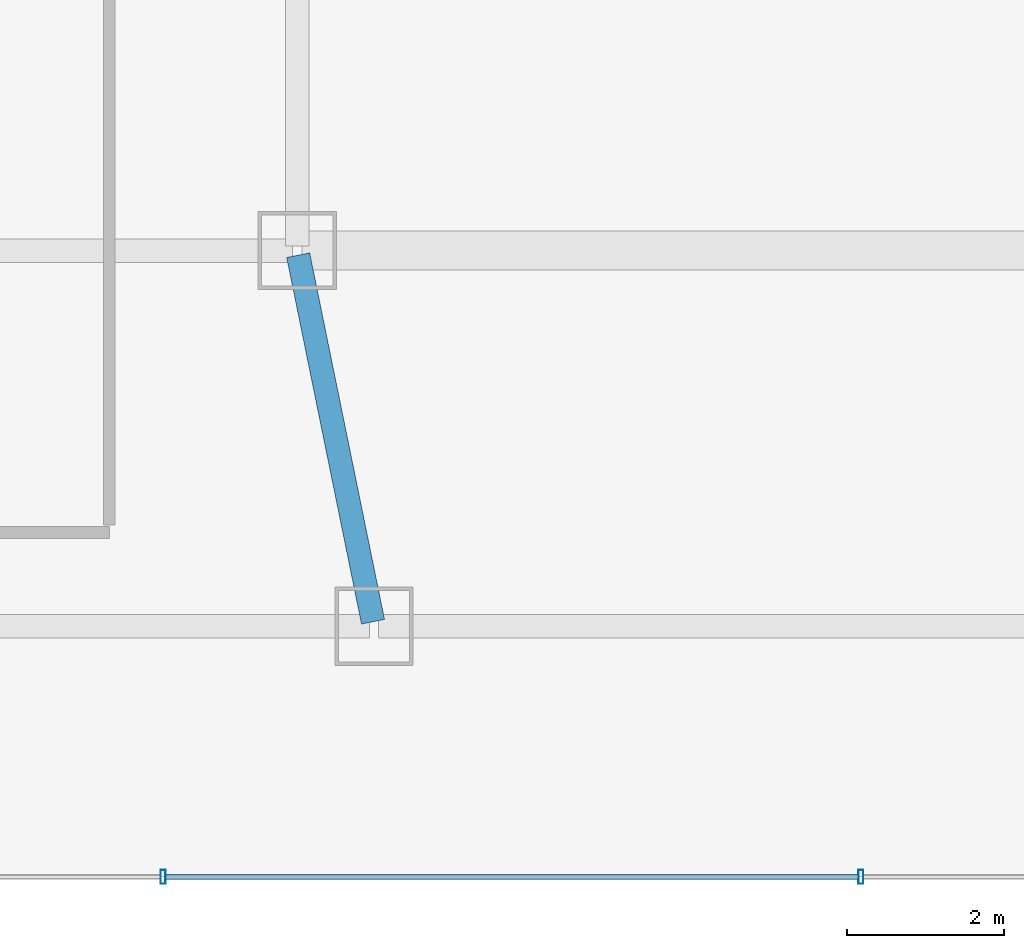
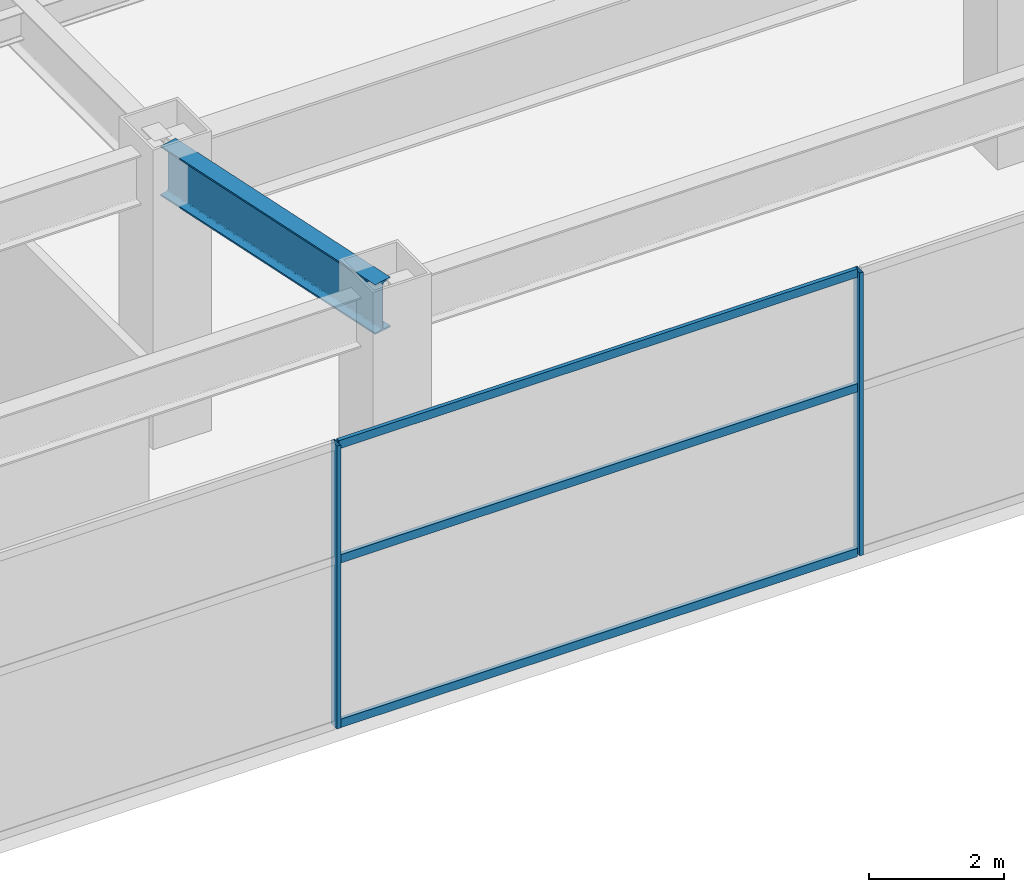
# One storey, part 10 of 52: 5 members, 1 beam, 1 element without a shape of its own.
"""IFC4 building model written with IfcOpenShell, lengths in metres."""

from ifc_helpers import new_model, si_unit, direction, frame, origin, origin_2d, place, context, subcontext, project, spatial, hollow_rectangle, i_section, extrude, material, material_profile, profile_set, type_object, element, aggregate, save


model = new_model("IFC4")

# Units and contexts
model_context = context("Model", 3, precision=1e-05, world=origin(), true_north=direction((0.0, 1.0)))
body_context = subcontext(model_context, "Body", "Model", "MODEL_VIEW")
ifc_project = project(units=[si_unit("LENGTHUNIT", "METRE"), si_unit("AREAUNIT", "SQUARE_METRE"), si_unit("VOLUMEUNIT", "CUBIC_METRE"), si_unit("PLANEANGLEUNIT", "RADIAN"), si_unit("MASSUNIT", "GRAM", prefix="KILO")], contexts=[model_context])

# Site, building, storey
site_placement = place(None, origin())
site = spatial("IfcSite", under=ifc_project, at=site_placement, CompositionType="ELEMENT")
building_placement = place(site_placement, origin())
building = spatial("IfcBuilding", under=site, at=building_placement, Name="Saevonmaru Cultural Tower", CompositionType="ELEMENT")
storey_placement = place(building_placement, frame((0.0, 0.0, 11.39990234375)))
storey = spatial("IfcBuildingStorey", under=building, at=storey_placement, Name="L02", CompositionType="ELEMENT", Elevation=11.39990234375)

# Beam
ifc_material_1 = material(Name="Steel SM420", Category="steel")
ifc_material_profile_1 = material_profile(ifc_material_1, i_section(OverallWidth=0.300048828125, OverallDepth=0.89990234375, WebThickness=0.01611328125, FlangeThickness=0.028076171875, FilletRadius=0.028076171875, at=origin_2d()), Name="H-900x300x16x28")
ifc_profile_set_1 = profile_set([ifc_material_profile_1], Name="Steel SM420")
beam_type = type_object("IfcBeamType", Name="BM-G-H900", PredefinedType="BEAM", material=ifc_profile_set_1)
beam_placement = place(storey_placement, frame((23.76806640625, 3.2587890625, 4.650146484375), z_axis=(-0.200054094908, 0.979784853481, 0.0), x_axis=(-0.979784853481, -0.200054094908, 0.0)))
element("IfcBeam", 1, at=beam_placement, inside=storey, type_object=beam_type, Name="L02 Podium Girder NS2-1", PredefinedType="BEAM", context=body_context, shape_type="SweptSolid", body=[
    extrude(i_section(OverallWidth=0.300048828125, OverallDepth=0.89990234375, WebThickness=0.01611328125, FlangeThickness=0.028076171875, FilletRadius=0.028076171875, at=origin_2d()), origin(), (0.0, 0.0, 1.0), 4.779052734375),
])

# Curtain wall, members
ifc_material_2 = material(Name="Satin Bronze Anodised Aluminium", Category="aluminium")
curtain_wall_type = type_object("IfcCurtainWallType", Name="CW-POD-GLZ", PredefinedType="NOTDEFINED", material=ifc_material_2)
curtain_wall_placement = place(storey_placement, origin())
curtain_wall = element("IfcCurtainWall", 2, at=curtain_wall_placement, inside=storey, type_object=curtain_wall_type, Name="L02 South Grand Foyer Curtain Wall", PredefinedType="NOTDEFINED")
ifc_material_profile_2 = material_profile(ifc_material_2, hollow_rectangle(XDim=0.06494140625, YDim=0.179931640625, WallThickness=0.00390625, at=origin_2d()), Name="ALU-MULL-180x65x4")
ifc_profile_set_2 = profile_set([ifc_material_profile_2], Name="Satin Bronze Anodised Aluminium")
member_type_1 = type_object("IfcMemberType", Name="ML-CW-180x65", PredefinedType="MULLION", material=ifc_profile_set_2)
member_1_placement = place(storey_placement, frame((21.086669921875, 0.0, 0.0), z_axis=(0.0, 0.0, 1.0), x_axis=(1.0, 0.0, 0.0)))
member_1 = element("IfcMember", 3, at=member_1_placement, type_object=member_type_1, Name="CW-POD-S-L02 mullion 3", PredefinedType="MULLION", context=body_context, shape_type="SweptSolid", body=[
    extrude(hollow_rectangle(XDim=0.06494140625, YDim=0.179931640625, WallThickness=0.00390625, at=origin_2d()), origin(), (0.0, 0.0, 1.0), 5.10009765625),
])
member_2_placement = place(storey_placement, frame((30.0, 0.0, 0.0), z_axis=(0.0, 0.0, 1.0), x_axis=(1.0, 0.0, 0.0)))
member_2 = element("IfcMember", 4, at=member_2_placement, type_object=member_type_1, Name="CW-POD-S-L02 mullion 4", PredefinedType="MULLION", context=body_context, shape_type="SweptSolid", body=[
    extrude(hollow_rectangle(XDim=0.06494140625, YDim=0.179931640625, WallThickness=0.00390625, at=origin_2d()), origin(), (0.0, 0.0, 1.0), 5.10009765625),
])
ifc_material_profile_3 = material_profile(ifc_material_2, hollow_rectangle(XDim=0.06494140625, YDim=0.14990234375, WallThickness=0.00390625, at=origin_2d()), Name="ALU-TRAN-150x65x4")
ifc_profile_set_3 = profile_set([ifc_material_profile_3], Name="Satin Bronze Anodised Aluminium")
member_type_2 = type_object("IfcMemberType", Name="TR-CW-150x65", PredefinedType="USERDEFINED", material=ifc_profile_set_3)
member_3_placement = place(storey_placement, frame((21.119140625, 0.0, 0.03271484375), z_axis=(1.0, 0.0, 0.0), x_axis=(0.0, 1.0, 0.0)))
member_3 = element("IfcMember", 5, at=member_3_placement, type_object=member_type_2, Name="CW-POD-S-L02 transom 3.1", ObjectType="TRANSOM", PredefinedType="USERDEFINED", context=body_context, shape_type="SweptSolid", body=[
    extrude(hollow_rectangle(XDim=0.06494140625, YDim=0.14990234375, WallThickness=0.00390625, at=origin_2d()), origin(), (0.0, 0.0, 1.0), 8.848388671875),
])
member_4_placement = place(storey_placement, frame((21.119140625, 0.0, 3.0), z_axis=(1.0, 0.0, 0.0), x_axis=(0.0, 1.0, 0.0)))
member_4 = element("IfcMember", 6, at=member_4_placement, type_object=member_type_2, Name="CW-POD-S-L02 transom 3.2", ObjectType="TRANSOM", PredefinedType="USERDEFINED", context=body_context, shape_type="SweptSolid", body=[
    extrude(hollow_rectangle(XDim=0.06494140625, YDim=0.14990234375, WallThickness=0.00390625, at=origin_2d()), origin(), (0.0, 0.0, 1.0), 8.848388671875),
])
member_5_placement = place(storey_placement, frame((21.119140625, 0.0, 5.067626953125), z_axis=(1.0, 0.0, 0.0), x_axis=(0.0, 1.0, 0.0)))
member_5 = element("IfcMember", 7, at=member_5_placement, type_object=member_type_2, Name="CW-POD-S-L02 transom 3.3", ObjectType="TRANSOM", PredefinedType="USERDEFINED", context=body_context, shape_type="SweptSolid", body=[
    extrude(hollow_rectangle(XDim=0.06494140625, YDim=0.14990234375, WallThickness=0.00390625, at=origin_2d()), origin(), (0.0, 0.0, 1.0), 8.848388671875),
])
aggregate(curtain_wall, [member_1, member_2, member_3, member_4, member_5])

save(model, "model.ifc")
